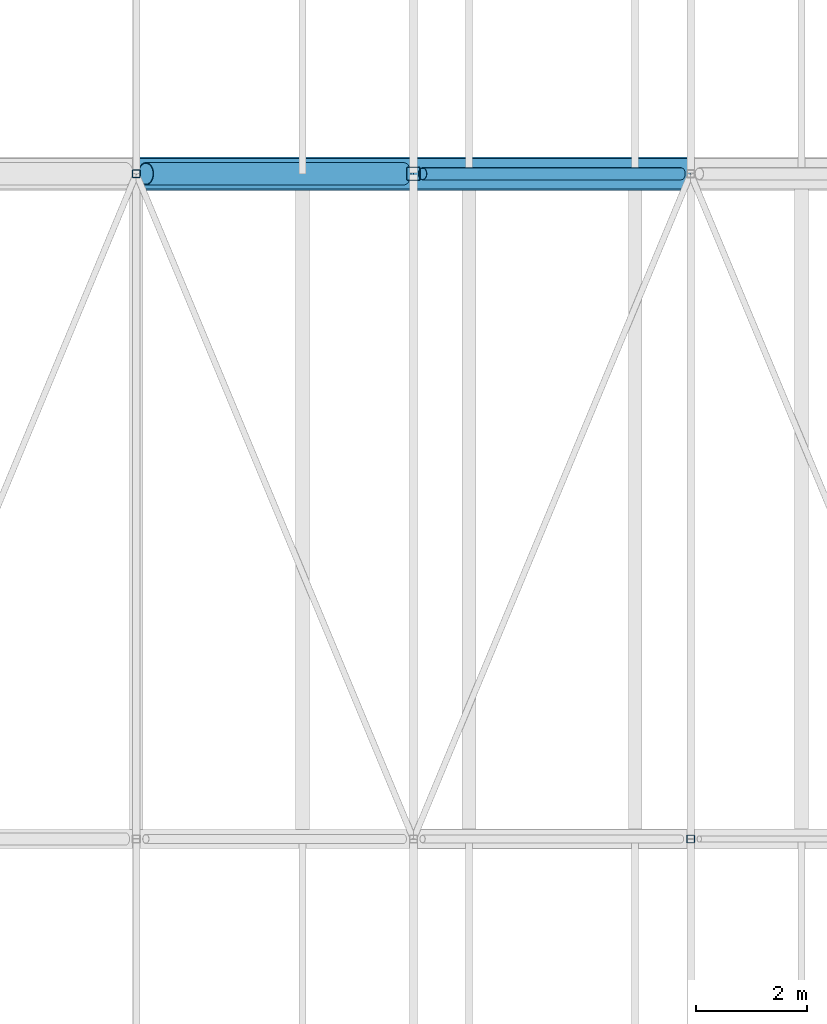
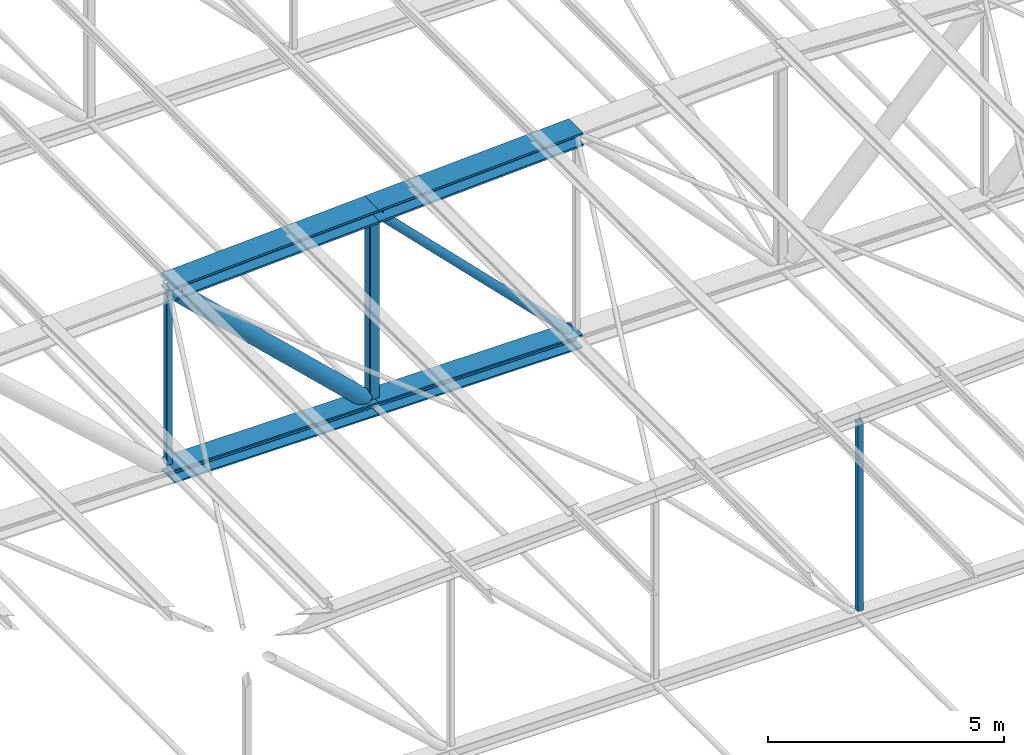
# One storey, part 69 of 156: 9 members.
"""IFC4 building model written with IfcOpenShell, lengths in metres."""

from ifc_helpers import new_model, si_unit, direction, frame, origin, origin_2d, place, context, subcontext, project, spatial, hollow_rectangle, hollow_circle, i_section, extrude, material, material_profile, profile_set, type_object, element, save


model = new_model("IFC4")

# Units and contexts
model_context = context("Model", 3, precision=1e-05, world=origin(), true_north=direction((0.0, 1.0)))
body_context = subcontext(model_context, "Body", "Model", "MODEL_VIEW")
ifc_project = project(units=[si_unit("LENGTHUNIT", "METRE"), si_unit("AREAUNIT", "SQUARE_METRE"), si_unit("VOLUMEUNIT", "CUBIC_METRE"), si_unit("PLANEANGLEUNIT", "RADIAN"), si_unit("MASSUNIT", "GRAM", prefix="KILO")], contexts=[model_context])

# Site, building, storey
site_placement = place(None, origin())
site = spatial("IfcSite", under=ifc_project, at=site_placement, CompositionType="ELEMENT")
building_placement = place(site_placement, origin())
building = spatial("IfcBuilding", under=site, at=building_placement, Name="Lilac Gate Convention Centre", CompositionType="ELEMENT")
storey_placement = place(building_placement, frame((0.0, 0.0, 17.0)))
storey = spatial("IfcBuildingStorey", under=building, at=storey_placement, Name="L03", CompositionType="ELEMENT", Elevation=17.0)

# Members
ifc_material = material(Name="Steel Q355B", Category="steel")
ifc_material_profile_1 = material_profile(ifc_material, i_section(OverallWidth=0.550048828125, OverallDepth=0.35009765625, WebThickness=0.02001953125, FlangeThickness=0.0400390625, FilletRadius=0.008056640625, at=origin_2d()), Name="WH350x550x20x40")
ifc_profile_set_1 = profile_set([ifc_material_profile_1], Name="Steel Q355B")
member_type_1 = type_object("IfcMemberType", Name="Truss bottom chord WH350x550x20x40", PredefinedType="CHORD", material=ifc_profile_set_1)
for number, where, z_axis, x_axis, name in (
    (1, (45.0, 138.0, 0.0), (1.0, 0.0, 0.0), (0.0, 1.0, 0.0), "TB5 truss 10 bottom chord 4"),
    (2, (50.0, 138.0, 0.0), (1.0, 0.0, 0.0), (0.0, 1.0, 0.0), "TB5 truss 10 bottom chord 5"),
):
    element("IfcMember", number, at=place(storey_placement, frame(where, z_axis=z_axis, x_axis=x_axis)), inside=storey, type_object=member_type_1, Name=name, PredefinedType="CHORD", context=body_context, shape_type="SweptSolid", body=[
        extrude(i_section(OverallWidth=0.550048828125, OverallDepth=0.35009765625, WebThickness=0.02001953125, FlangeThickness=0.0400390625, FilletRadius=0.008056640625, at=origin_2d()), origin(), (0.0, 0.0, 1.0), 5.0),
    ])
ifc_material_profile_2 = material_profile(ifc_material, hollow_circle(Radius=0.109619140625, WallThickness=0.008056640625, at=origin_2d()), Name="CHS219.1x8")
ifc_profile_set_2 = profile_set([ifc_material_profile_2], Name="Steel Q355B")
member_type_2 = type_object("IfcMemberType", Name="Truss diagonal CHS219.1x8", PredefinedType="BRACE", material=ifc_profile_set_2)
member_1_placement = place(storey_placement, frame((50.164306640625, 138.0, 4.835693359375), z_axis=(0.707106781187, 0.0, -0.707106781187), x_axis=(0.0, 1.0, 0.0)))
element("IfcMember", 3, at=member_1_placement, inside=storey, type_object=member_type_2, Name="TW3 truss 10 diagonal 5", PredefinedType="BRACE", context=body_context, shape_type="SweptSolid", body=[
    extrude(hollow_circle(Radius=0.109619140625, WallThickness=0.008056640625, at=origin_2d()), origin(), (0.0, 0.0, 1.0), 6.591064453125),
])
ifc_material_profile_3 = material_profile(ifc_material, hollow_circle(Radius=0.203125, WallThickness=0.01611328125, at=origin_2d()), Name="CHS406.4x16")
ifc_profile_set_3 = profile_set([ifc_material_profile_3], Name="Steel Q355B")
member_type_3 = type_object("IfcMemberType", Name="Truss diagonal CHS406.4x16", PredefinedType="BRACE", material=ifc_profile_set_3)
member_2_placement = place(storey_placement, frame((45.1728515625, 138.0, 4.585693359375), z_axis=(0.725020373275, 0.0, -0.688727419475), x_axis=(0.0, 1.0, 0.0)))
element("IfcMember", 4, at=member_2_placement, inside=storey, type_object=member_type_3, Name="TW9 truss 10 diagonal 4", PredefinedType="BRACE", context=body_context, shape_type="SweptSolid", body=[
    extrude(hollow_circle(Radius=0.203125, WallThickness=0.01611328125, at=origin_2d()), origin(), (0.0, 0.0, 1.0), 6.404052734375),
])
ifc_material_profile_4 = material_profile(ifc_material, i_section(OverallWidth=0.60009765625, OverallDepth=0.35009765625, WebThickness=0.02490234375, FlangeThickness=0.050048828125, FilletRadius=0.008056640625, at=origin_2d()), Name="WH350x600x25x50")
ifc_profile_set_4 = profile_set([ifc_material_profile_4], Name="Steel Q355B")
member_type_4 = type_object("IfcMemberType", Name="Truss top chord WH350x600x25x50", PredefinedType="CHORD", material=ifc_profile_set_4)
for number, where, z_axis, x_axis, name in (
    (5, (45.0, 138.0, 4.75), (0.998752338878, 0.0, 0.049937616944), (0.0, 1.0, 0.0), "TT5 truss 10 top chord 4"),
    (6, (50.0, 138.0, 5.0), (0.998752338878, 0.0, 0.049937616944), (0.0, 1.0, 0.0), "TT5 truss 10 top chord 5"),
):
    element("IfcMember", number, at=place(storey_placement, frame(where, z_axis=z_axis, x_axis=x_axis)), inside=storey, type_object=member_type_4, Name=name, PredefinedType="CHORD", context=body_context, shape_type="SweptSolid", body=[
        extrude(i_section(OverallWidth=0.60009765625, OverallDepth=0.35009765625, WebThickness=0.02490234375, FlangeThickness=0.050048828125, FilletRadius=0.008056640625, at=origin_2d()), origin(), (0.0, 0.0, 1.0), 5.00634765625),
    ])
ifc_material_profile_5 = material_profile(ifc_material, hollow_rectangle(XDim=0.139892578125, YDim=0.139892578125, WallThickness=0.0048828125, InnerFilletRadius=0.0048828125, OuterFilletRadius=0.010009765625, at=origin_2d()), Name="SHS140x140x5")
ifc_profile_set_5 = profile_set([ifc_material_profile_5], Name="Steel Q355B")
member_type_5 = type_object("IfcMemberType", Name="Truss vertical SHS140x140x5", PredefinedType="STRUT", material=ifc_profile_set_5)
member_3_placement = place(storey_placement, frame((55.0, 126.0, 0.175048828125), z_axis=(0.0, 0.0, 1.0), x_axis=(1.0, 0.0, 0.0)))
element("IfcMember", 7, at=member_3_placement, inside=storey, type_object=member_type_5, Name="TV4 truss 9 vertical 6", PredefinedType="STRUT", context=body_context, shape_type="SweptSolid", body=[
    extrude(hollow_rectangle(XDim=0.139892578125, YDim=0.139892578125, WallThickness=0.0048828125, InnerFilletRadius=0.0048828125, OuterFilletRadius=0.010009765625, at=origin_2d()), origin(), (0.0, 0.0, 1.0), 4.899658203125),
])
member_4_placement = place(storey_placement, frame((45.0, 138.0, 0.175048828125), z_axis=(0.0, 0.0, 1.0), x_axis=(1.0, 0.0, 0.0)))
element("IfcMember", 8, at=member_4_placement, inside=storey, type_object=member_type_5, Name="TV4 truss 10 vertical 4", PredefinedType="STRUT", context=body_context, shape_type="SweptSolid", body=[
    extrude(hollow_rectangle(XDim=0.139892578125, YDim=0.139892578125, WallThickness=0.0048828125, InnerFilletRadius=0.0048828125, OuterFilletRadius=0.010009765625, at=origin_2d()), origin(), (0.0, 0.0, 1.0), 4.399658203125),
])
ifc_material_profile_6 = material_profile(ifc_material, hollow_rectangle(XDim=0.25, YDim=0.25, WallThickness=0.011962890625, InnerFilletRadius=0.01806640625, OuterFilletRadius=0.030029296875, at=origin_2d()), Name="SHS250x250x12")
ifc_profile_set_6 = profile_set([ifc_material_profile_6], Name="Steel Q355B")
member_type_6 = type_object("IfcMemberType", Name="Truss vertical SHS250x250x12", PredefinedType="STRUT", material=ifc_profile_set_6)
member_5_placement = place(storey_placement, frame((50.0, 138.0, 0.175048828125), z_axis=(0.0, 0.0, 1.0), x_axis=(1.0, 0.0, 0.0)))
element("IfcMember", 9, at=member_5_placement, inside=storey, type_object=member_type_6, Name="TV5 truss 10 vertical 5", PredefinedType="STRUT", context=body_context, shape_type="SweptSolid", body=[
    extrude(hollow_rectangle(XDim=0.25, YDim=0.25, WallThickness=0.011962890625, InnerFilletRadius=0.01806640625, OuterFilletRadius=0.030029296875, at=origin_2d()), origin(), (0.0, 0.0, 1.0), 4.649658203125),
])

save(model, "model.ifc")
